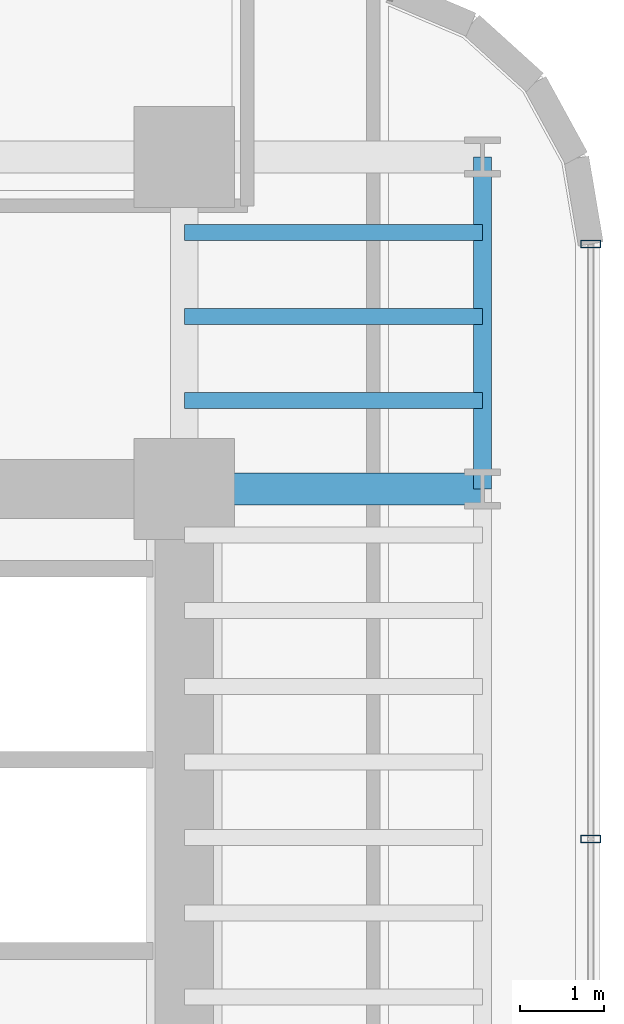
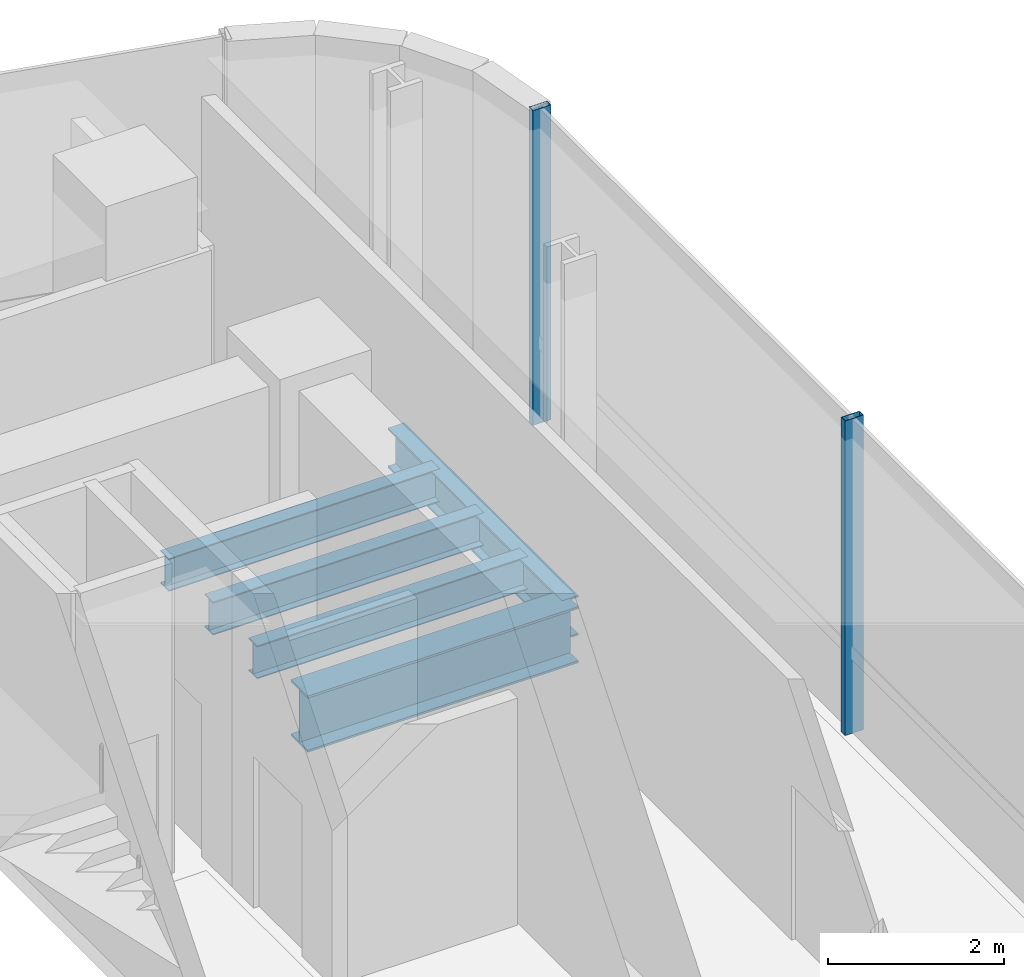
# One storey, part 17 of 32: 5 beams, 2 members, 1 element without a shape of its own.
"""IFC4 building model written with IfcOpenShell, lengths in metres."""

from ifc_helpers import new_model, si_unit, direction, frame, origin, origin_2d, place, context, subcontext, project, spatial, hollow_rectangle, i_section, extrude, source, transform, mapped, material, material_profile, profile_set, type_object, element, aggregate, save


model = new_model("IFC4")

# Units and contexts
model_context = context("Model", 3, precision=1e-05, world=origin(), true_north=direction((0.0, 1.0)))
body_context = subcontext(model_context, "Body", "Model", "MODEL_VIEW")
ifc_project = project(units=[si_unit("LENGTHUNIT", "METRE"), si_unit("AREAUNIT", "SQUARE_METRE"), si_unit("VOLUMEUNIT", "CUBIC_METRE"), si_unit("PLANEANGLEUNIT", "RADIAN"), si_unit("MASSUNIT", "GRAM", prefix="KILO")], contexts=[model_context])

# Site, building, storey
site_placement = place(None, origin())
site = spatial("IfcSite", under=ifc_project, at=site_placement, CompositionType="ELEMENT")
building_placement = place(site_placement, origin())
building = spatial("IfcBuilding", under=site, at=building_placement, Name="Valdorenza Pilgrim Sanctuary Tower", CompositionType="ELEMENT")
storey_placement = place(building_placement, frame((0.0, 0.0, 101.10009765625)))
storey = spatial("IfcBuildingStorey", under=building, at=storey_placement, Name="L25", CompositionType="ELEMENT", Elevation=101.10009765625)

# Beams
ifc_material_1 = material(Name="Steel ASTM A992 Grade 50", Category="steel")
ifc_material_profile_1 = material_profile(ifc_material_1, i_section(OverallWidth=0.214111328125, OverallDepth=0.549072265625, WebThickness=0.0146484375, FlangeThickness=0.023681640625, at=origin_2d()), Name="W21X93")
ifc_profile_set_1 = profile_set([ifc_material_profile_1], Name="Steel ASTM A992 Grade 50")
beam_type_1 = type_object("IfcBeamType", Name="STR-BM-SPN-W21A", PredefinedType="SPANDREL", material=ifc_profile_set_1)
shared_shape_1 = source(origin(), body_context, "Body", "SweptSolid", [
    extrude(i_section(OverallWidth=0.214111328125, OverallDepth=0.549072265625, WebThickness=0.0146484375, FlangeThickness=0.023681640625, at=origin_2d()), origin(), (0.0, 0.0, 1.0), 3.949951171875),
])
beam_1_placement = place(storey_placement, frame((28.39990234375, 9.550048828125, -0.5146484375), z_axis=(0.0, 1.0, 0.0), x_axis=(-1.0, 0.0, 0.0)))
element("IfcBeam", 1, at=beam_1_placement, inside=storey, type_object=beam_type_1, Name="L25 Spandrel Beam WB-E-N1N2", PredefinedType="SPANDREL", context=body_context, shape_type="MappedRepresentation", body=[
    mapped(shared_shape_1, transform((0.0, 0.0, 0.0), x_axis=(1.0, 0.0, 0.0), y_axis=(0.0, 1.0, 0.0), z_axis=(0.0, 0.0, 1.0), scale=1.0)),
])
ifc_material_profile_2 = material_profile(ifc_material_1, i_section(OverallWidth=0.382080078125, OverallDepth=0.779052734375, WebThickness=0.01806640625, FlangeThickness=0.030029296875, at=origin_2d()), Name="W30X191")
ifc_profile_set_2 = profile_set([ifc_material_profile_2], Name="Steel ASTM A992 Grade 50")
beam_type_2 = type_object("IfcBeamType", Name="STR-BM-GRD-W30", PredefinedType="BEAM", material=ifc_profile_set_2)
shared_shape_2 = source(origin(), body_context, "Body", "SweptSolid", [
    extrude(i_section(OverallWidth=0.382080078125, OverallDepth=0.779052734375, WebThickness=0.01806640625, FlangeThickness=0.030029296875, at=origin_2d()), origin(), (0.0, 0.0, 1.0), 3.5498046875),
])
beam_2_placement = place(storey_placement, frame((24.85009765625, 9.550048828125, -0.629638671875), z_axis=(1.0, 0.0, 0.0), x_axis=(0.0, 1.0, 0.0)))
element("IfcBeam", 2, at=beam_2_placement, inside=storey, type_object=beam_type_2, Name="L25 Floor Girder WB-XE-N1", PredefinedType="BEAM", context=body_context, shape_type="MappedRepresentation", body=[
    mapped(shared_shape_2, transform((0.0, 0.0, 0.0), x_axis=(1.0, 0.0, 0.0), y_axis=(0.0, 1.0, 0.0), z_axis=(0.0, 0.0, 1.0), scale=1.0)),
])
ifc_material_profile_3 = material_profile(ifc_material_1, i_section(OverallWidth=0.19091796875, OverallDepth=0.45703125, WebThickness=0.009033203125, FlangeThickness=0.014404296875, at=origin_2d()), Name="W18X50")
ifc_profile_set_3 = profile_set([ifc_material_profile_3], Name="Steel ASTM A992 Grade 50")
beam_type_3 = type_object("IfcBeamType", Name="STR-BM-JST-W18B", PredefinedType="JOIST", material=ifc_profile_set_3)
shared_shape_3 = source(origin(), body_context, "Body", "SweptSolid", [
    extrude(i_section(OverallWidth=0.19091796875, OverallDepth=0.45703125, WebThickness=0.009033203125, FlangeThickness=0.014404296875, at=origin_2d()), origin(), (0.0, 0.0, 1.0), 3.5498046875),
])
for number, where, z_axis, x_axis, name in (
    (3, (24.85009765625, 10.60009765625, -0.468505859375), (1.0, 0.0, 0.0), (0.0, 1.0, 0.0), "L25 Composite Floor Joist JST-WB-19"),
    (4, (24.85009765625, 11.60009765625, -0.468505859375), (1.0, 0.0, 0.0), (0.0, 1.0, 0.0), "L25 Composite Floor Joist JST-WB-20"),
    (5, (24.85009765625, 12.60009765625, -0.468505859375), (1.0, 0.0, 0.0), (0.0, 1.0, 0.0), "L25 Composite Floor Joist JST-WB-21"),
):
    element("IfcBeam", number, at=place(storey_placement, frame(where, z_axis=z_axis, x_axis=x_axis)), inside=storey, type_object=beam_type_3, Name=name, PredefinedType="JOIST", context=body_context, shape_type="MappedRepresentation", body=[
        mapped(shared_shape_3, transform((0.0, 0.0, 0.0), x_axis=(1.0, 0.0, 0.0), y_axis=(0.0, 1.0, 0.0), z_axis=(0.0, 0.0, 1.0), scale=1.0)),
    ])

# Curtain wall, members
ifc_material_2 = material(Name="Curtain-wall IGU glazing", Category="glass")
curtain_wall_type = type_object("IfcCurtainWallType", Name="CW-SYS-04", PredefinedType="NOTDEFINED", material=ifc_material_2)
curtain_wall_placement = place(storey_placement, origin())
curtain_wall = element("IfcCurtainWall", 6, at=curtain_wall_placement, inside=storey, type_object=curtain_wall_type, Name="L25 Curtain Wall CW-L25-1-21", PredefinedType="NOTDEFINED")
ifc_material_3 = material(Name="Anodised aluminium AW-6060", Category="aluminium")
ifc_material_profile_4 = material_profile(ifc_material_3, hollow_rectangle(XDim=0.090087890625, YDim=0.239990234375, WallThickness=0.0048828125, at=origin_2d()), Name="ALU-M 240x90x5")
ifc_profile_set_4 = profile_set([ifc_material_profile_4], Name="Anodised aluminium AW-6060")
member_type = type_object("IfcMemberType", Name="CW-MUL-04", PredefinedType="MULLION", material=ifc_profile_set_4)
shared_shape_4 = source(origin(), body_context, "Body", "SweptSolid", [
    extrude(hollow_rectangle(XDim=0.090087890625, YDim=0.239990234375, WallThickness=0.0048828125, at=origin_2d()), origin(), (0.0, 0.0, 1.0), 4.35986328125),
])
member_1_placement = place(storey_placement, frame((29.68994140625, 12.46630859375, 0.0), z_axis=(0.0, 0.0, 1.0), x_axis=(0.0, -1.0, 0.0)))
member_1 = element("IfcMember", 7, at=member_1_placement, type_object=member_type, Name="CW-L25-1-21 Mullion 1", PredefinedType="MULLION", context=body_context, shape_type="MappedRepresentation", body=[
    mapped(shared_shape_4, transform((0.0, 0.0, 0.0), x_axis=(1.0, 0.0, 0.0), y_axis=(0.0, 1.0, 0.0), z_axis=(0.0, 0.0, 1.0), scale=1.0)),
])
member_2_placement = place(storey_placement, frame((29.68994140625, 5.381103515625, 0.0), z_axis=(0.0, 0.0, 1.0), x_axis=(0.0, -1.0, 0.0)))
member_2 = element("IfcMember", 8, at=member_2_placement, type_object=member_type, Name="CW-L25-1-21 Mullion 2", PredefinedType="MULLION", context=body_context, shape_type="MappedRepresentation", body=[
    mapped(shared_shape_4, transform((0.0, 0.0, 0.0), x_axis=(1.0, 0.0, 0.0), y_axis=(0.0, 1.0, 0.0), z_axis=(0.0, 0.0, 1.0), scale=1.0)),
])
aggregate(curtain_wall, [member_1, member_2])

save(model, "model.ifc")
